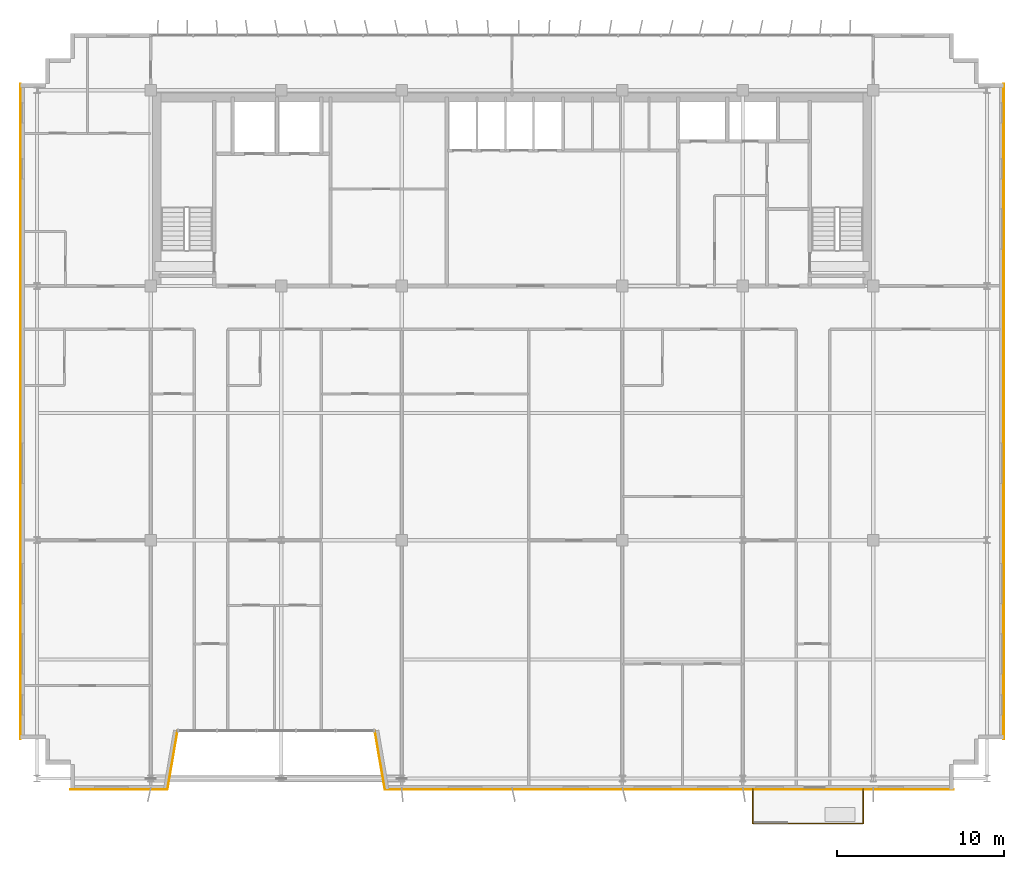
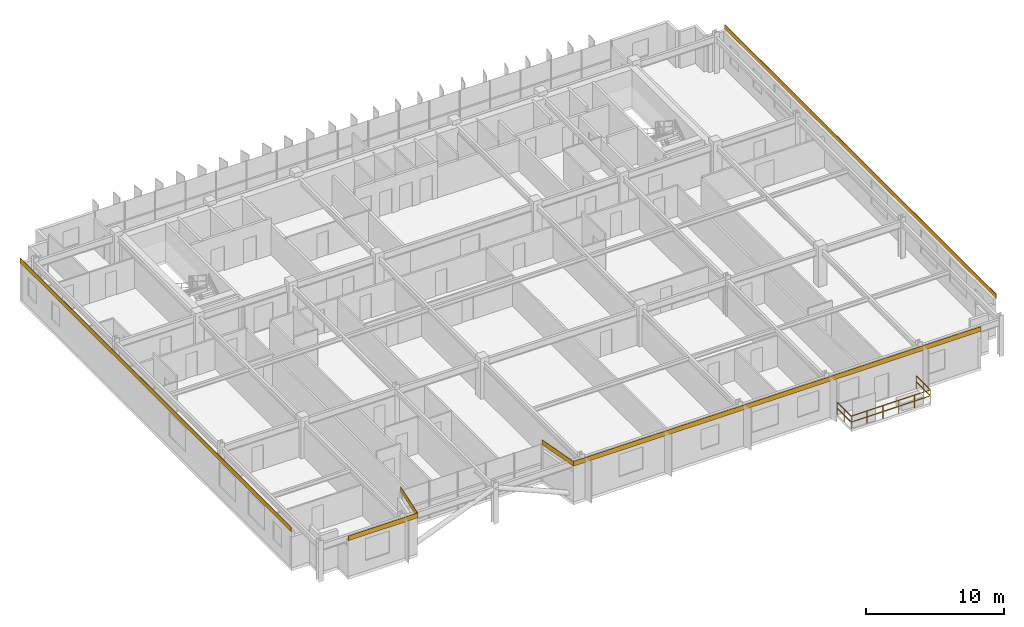
# One storey, part 23 of 24: 6 coverings, 3 railings.
"""IFC4 building model written with IfcOpenShell, lengths in metres."""

import ifcopenshell
import ifcopenshell.guid

model = None  # the IFC model being written
_history = None  # IfcOwnerHistory: only IFC2X3 demands one
_inside = {}  # id of a spatial element -> (the spatial element, [elements in it])
_under = {}  # id of a project, library or spatial element -> (it, [spatial elements below it])
_declared = {}  # id of a project -> (the project, [libraries it declares])
_typed = {}  # id of a type object -> (the type object, [elements of that type])
_made_of = {}  # id of a material, layer set ... -> (it, [elements and type objects made of it])


def new_model(schema):
    """Start an empty IFC model of exactly this schema.

    Asked for "IFC4X3", IfcOpenShell would pick the latest addendum, in which some entities
    have other attributes; the version numbers below select the first issue.
    IFC2X3 requires an IfcOwnerHistory on every rooted entity: one is made here for all.
    """
    global model, _history
    if schema == "IFC4X3":
        model = ifcopenshell.file(schema_version=(4, 3, 0, 0))
    else:
        model = ifcopenshell.file(schema=schema)
    _inside.clear()
    _under.clear()
    _declared.clear()
    _typed.clear()
    _made_of.clear()
    _history = None
    if model.schema == "IFC2X3":
        org = make("IfcOrganization", Name="unknown")
        user = make(
            "IfcPersonAndOrganization",
            ThePerson=make("IfcPerson", FamilyName="unknown"),
            TheOrganization=org,
        )
        app = make(
            "IfcApplication",
            ApplicationDeveloper=org,
            Version="unknown",
            ApplicationFullName="unknown",
            ApplicationIdentifier="unknown",
        )
        _history = make(
            "IfcOwnerHistory",
            OwningUser=user,
            OwningApplication=app,
            ChangeAction="ADDED",
            CreationDate=0,
        )
    return model


def make(cls, **values):
    """One entity of the class cls with the attributes given. An attribute that is None is left unset."""
    return model.create_entity(
        cls, **{name: value for name, value in values.items() if value is not None}
    )


def rooted(cls, **values):
    """An entity with a GlobalId (a new one), such as an element, a storey or a relation."""
    return make(cls, GlobalId=ifcopenshell.guid.new(), OwnerHistory=_history, **values)


def si_unit(unit_type, name, prefix=None):
    """IfcSIUnit, for example si_unit("LENGTHUNIT", "METRE", prefix="MILLI")."""
    return make("IfcSIUnit", UnitType=unit_type, Prefix=prefix, Name=name)


def assignment(units):
    """IfcUnitAssignment: the units of a project."""
    return None if units is None else make("IfcUnitAssignment", Units=units)


def point(xyz):
    """IfcCartesianPoint."""
    return None if xyz is None else make("IfcCartesianPoint", Coordinates=xyz)


def direction(xyz):
    """IfcDirection."""
    return None if xyz is None else make("IfcDirection", DirectionRatios=xyz)


def frame(location, z_axis=None, x_axis=None):
    """IfcAxis2Placement3D, a coordinate frame: its origin and axes. An axis left out is left unset."""
    return make(
        "IfcAxis2Placement3D",
        Location=point(location),
        Axis=direction(z_axis),
        RefDirection=direction(x_axis),
    )


def frame_2d(location, x_axis=None):
    """IfcAxis2Placement2D, a coordinate frame in the plane: its origin and x axis."""
    return make(
        "IfcAxis2Placement2D", Location=point(location), RefDirection=direction(x_axis)
    )


def origin():
    """The frame at (0, 0, 0) with its axes left unset."""
    return frame((0.0, 0.0, 0.0))


def origin_2d():
    """The frame at (0, 0) in the plane with its x axis left unset."""
    return frame_2d((0.0, 0.0))


def place(relative_to, where):
    """IfcLocalPlacement: puts the frame where relative to a parent placement (None: the world)."""
    return make(
        "IfcLocalPlacement", PlacementRelTo=relative_to, RelativePlacement=where
    )


def context(
    kind, dimensions, precision=None, world=None, true_north=None, identifier=None
):
    """IfcGeometricRepresentationContext, for example the 3D "Model" context."""
    return make(
        "IfcGeometricRepresentationContext",
        ContextIdentifier=identifier,
        ContextType=kind,
        CoordinateSpaceDimension=dimensions,
        Precision=precision,
        WorldCoordinateSystem=world,
        TrueNorth=true_north,
    )


def subcontext(parent, identifier, kind, view, scale=None):
    """IfcGeometricRepresentationSubContext, for example "Body" below "Model"."""
    return make(
        "IfcGeometricRepresentationSubContext",
        ContextIdentifier=identifier,
        ContextType=kind,
        ParentContext=parent,
        TargetScale=scale,
        TargetView=view,
    )


def project(units=None, contexts=None):
    """IfcProject with its units and contexts."""
    return rooted(
        "IfcProject",
        Name="project",
        RepresentationContexts=contexts,
        UnitsInContext=assignment(units),
    )


def spatial(cls, under=None, at=None, **own):
    """A site, building, storey or space (cls), placed at a placement, below another one or the project."""
    s = rooted(cls, ObjectPlacement=at, **own)
    if under is not None:
        _under.setdefault(under.id(), (under, []))[1].append(s)
    return s


def profile(cls, at=None, kind="AREA", **sizes):
    """A parametric profile (cls). Its sizes go by their IFC names, for example OverallWidth=200.0."""
    return make(cls, ProfileType=kind, Position=at, **sizes)


def rectangle(**sizes):
    """IfcRectangleProfileDef."""
    return profile("IfcRectangleProfileDef", **sizes)


def extrude(swept, where, along, depth):
    """IfcExtrudedAreaSolid: the profile swept, set in the frame where, extruded along a direction by depth."""
    return make(
        "IfcExtrudedAreaSolid",
        SweptArea=swept,
        Position=where,
        ExtrudedDirection=direction(along),
        Depth=depth,
    )


def shape(context_of_items, identifier, shape_type, items):
    """IfcShapeRepresentation: the items that make up one representation, for example the "Body"."""
    return make(
        "IfcShapeRepresentation",
        ContextOfItems=context_of_items,
        RepresentationIdentifier=identifier,
        RepresentationType=shape_type,
        Items=items,
    )


def source(mapping_origin, context_of_items, identifier, shape_type, items):
    """IfcRepresentationMap: a shape defined once, which mapped items show again and again."""
    return make(
        "IfcRepresentationMap",
        MappingOrigin=mapping_origin,
        MappedRepresentation=shape(context_of_items, identifier, shape_type, items),
    )


def transform(
    local_origin,
    x_axis=None,
    y_axis=None,
    z_axis=None,
    scale=None,
    scale2=None,
    scale3=None,
    uniform=True,
):
    """IfcCartesianTransformationOperator3D, or its non-uniform kind. x_axis, y_axis, z_axis: its Axis1, 2, 3."""
    if uniform:
        return make(
            "IfcCartesianTransformationOperator3D",
            Axis1=direction(x_axis),
            Axis2=direction(y_axis),
            LocalOrigin=point(local_origin),
            Scale=scale,
            Axis3=direction(z_axis),
        )
    return make(
        "IfcCartesianTransformationOperator3DnonUniform",
        Axis1=direction(x_axis),
        Axis2=direction(y_axis),
        LocalOrigin=point(local_origin),
        Scale=scale,
        Axis3=direction(z_axis),
        Scale2=scale2,
        Scale3=scale3,
    )


def mapped(mapping_source, mapping_target):
    """IfcMappedItem: shows the shape of a source again, moved by a transform."""
    return make(
        "IfcMappedItem", MappingSource=mapping_source, MappingTarget=mapping_target
    )


def material(Name=None, Category=None):
    """IfcMaterial."""
    return make("IfcMaterial", Name=Name, Category=Category)


def layer(
    of_material, thickness, ventilated=None, Name=None, Category=None, Priority=None
):
    """IfcMaterialLayer: one layer of a wall or slab, of a material (None: an air gap)."""
    return make(
        "IfcMaterialLayer",
        Material=of_material,
        LayerThickness=thickness,
        IsVentilated=ventilated,
        Name=Name,
        Category=Category,
        Priority=Priority,
    )


def layer_set(layers, Name=None):
    """IfcMaterialLayerSet."""
    return make("IfcMaterialLayerSet", MaterialLayers=layers, LayerSetName=Name)


def made_of(thing, what):
    """Note that an element or type object is made of a material, layer set ...; save() writes the relation."""
    if what is not None:
        _made_of.setdefault(what.id(), (what, []))[1].append(thing)
    return thing


def type_object(cls, material=None, **own):
    """A type object (cls), such as IfcWallType, which elements share."""
    return made_of(rooted(cls, **own), material)


def element(
    cls,
    number,
    at=None,
    inside=None,
    cuts=None,
    type_object=None,
    material=None,
    context=None,
    identifier="Body",
    shape_type=None,
    held_by="IfcProductDefinitionShape",
    body=None,
    shapes=None,
    **own,
):
    """One element of the class cls, such as IfcWall. Its Tag is "e" and its number.

    at: its placement. inside: the storey or other place that contains it. cuts: it is an
    opening in that element (IfcRelVoidsElement). A single representation is given by context,
    identifier, shape_type and body (its items); several are given by shapes. held_by: the class
    of the entity that holds the representations. save() writes the other relations.
    """
    e = rooted(cls, Tag="e%d" % number, ObjectPlacement=at, **own)
    if body is not None:
        shapes = [shape(context, identifier, shape_type, body)]
    if shapes is not None:
        e.Representation = make(held_by, Representations=shapes)
    if inside is not None:
        _inside.setdefault(inside.id(), (inside, []))[1].append(e)
    if cuts is not None:
        rooted(
            "IfcRelVoidsElement", RelatingBuildingElement=cuts, RelatedOpeningElement=e
        )
    if type_object is not None:
        _typed.setdefault(type_object.id(), (type_object, []))[1].append(e)
    return made_of(e, material)


def aggregate(whole, parts):
    """IfcRelAggregates: a whole, such as a stair, and the parts it consists of."""
    return rooted("IfcRelAggregates", RelatingObject=whole, RelatedObjects=parts)


def save(model, path):
    """Write the relations noted so far, then the file.

    IfcRelAggregates (storeys below a building ...), IfcRelContainedInSpatialStructure (elements
    in a storey), IfcRelDefinesByType, IfcRelAssociatesMaterial and IfcRelDeclares: one each for
    every whole, place, type object, material and project.
    """
    for whole, parts in _under.values():
        aggregate(whole, parts)
    for where, things in _inside.values():
        rooted(
            "IfcRelContainedInSpatialStructure",
            RelatedElements=things,
            RelatingStructure=where,
        )
    for kind, things in _typed.values():
        rooted("IfcRelDefinesByType", RelatedObjects=things, RelatingType=kind)
    for what, things in _made_of.values():
        rooted("IfcRelAssociatesMaterial", RelatedObjects=things, RelatingMaterial=what)
    for by, libraries in _declared.values():
        rooted("IfcRelDeclares", RelatingContext=by, RelatedDefinitions=libraries)
    model.write(path)


model = new_model("IFC4")

# Units and contexts
model_context = context("Model", 3, precision=1e-05, world=origin(), true_north=direction((0.0, 1.0)))
body_context = subcontext(model_context, "Body", "Model", "MODEL_VIEW")
ifc_project = project(units=[si_unit("LENGTHUNIT", "METRE"), si_unit("AREAUNIT", "SQUARE_METRE"), si_unit("VOLUMEUNIT", "CUBIC_METRE"), si_unit("PLANEANGLEUNIT", "RADIAN"), si_unit("MASSUNIT", "GRAM", prefix="KILO")], contexts=[model_context])

# Site, building, storey
site_placement = place(None, origin())
site = spatial("IfcSite", under=ifc_project, at=site_placement, CompositionType="ELEMENT")
building_placement = place(site_placement, origin())
building = spatial("IfcBuilding", under=site, at=building_placement, Name="Trelvane Seafront Commons", CompositionType="ELEMENT")
storey_placement = place(building_placement, frame((0.0, 0.0, 178.89990234375)))
storey = spatial("IfcBuildingStorey", under=building, at=storey_placement, Name="L47", CompositionType="ELEMENT", Elevation=178.89990234375)

# Railings
ifc_material_1 = material(Name="Stainless steel balustrade", Category="steel")
railing_type = type_object("IfcRailingType", Name="ARCH-RAIL-BAL1150", PredefinedType="BALUSTRADE", material=ifc_material_1)
railing_1_placement = place(storey_placement, frame((51.60009765625, 3.300048828125, 0.0)))
element("IfcRailing", 1, at=railing_1_placement, inside=storey, type_object=railing_type, Name="RL-L47-BAL0-01", PredefinedType="BALUSTRADE", context=body_context, shape_type="SweptSolid", body=[
    extrude(rectangle(XDim=0.048095703125, YDim=0.048095703125, at=origin_2d()), frame((0.0, 0.0, 1.1259765625), z_axis=(0.0, -1.0, 0.0), x_axis=(1.0, 0.0, 0.0)), (0.0, 0.0, 1.0), 2.0400390625),
    extrude(rectangle(XDim=0.048095703125, YDim=0.048095703125, at=origin_2d()), frame((0.0, 0.0, 0.597900390625), z_axis=(0.0, -1.0, 0.0), x_axis=(1.0, 0.0, 0.0)), (0.0, 0.0, 1.0), 2.0400390625),
    extrude(rectangle(XDim=0.0419921875, YDim=0.0419921875, at=origin_2d()), origin(), (0.0, 0.0, 1.0), 1.1259765625),
    extrude(rectangle(XDim=0.0419921875, YDim=0.0419921875, at=origin_2d()), frame((0.0, -1.02001953125, 0.0)), (0.0, 0.0, 1.0), 1.1259765625),
    extrude(rectangle(XDim=0.0419921875, YDim=0.0419921875, at=origin_2d()), frame((0.0, -2.0400390625, 0.0)), (0.0, 0.0, 1.0), 1.1259765625),
])
railing_2_placement = place(storey_placement, frame((51.60009765625, 1.260009765625, 0.0)))
element("IfcRailing", 2, at=railing_2_placement, inside=storey, type_object=railing_type, Name="RL-L47-BAL0-02", PredefinedType="BALUSTRADE", context=body_context, shape_type="SweptSolid", body=[
    extrude(rectangle(XDim=0.048095703125, YDim=0.048095703125, at=origin_2d()), frame((0.0, 0.0, 1.1259765625), z_axis=(1.0, 0.0, 0.0), x_axis=(0.0, 1.0, 0.0)), (0.0, 0.0, 1.0), 6.599853515625),
    extrude(rectangle(XDim=0.048095703125, YDim=0.048095703125, at=origin_2d()), frame((0.0, 0.0, 0.597900390625), z_axis=(1.0, 0.0, 0.0), x_axis=(0.0, 1.0, 0.0)), (0.0, 0.0, 1.0), 6.599853515625),
    extrude(rectangle(XDim=0.0419921875, YDim=0.0419921875, at=origin_2d()), origin(), (0.0, 0.0, 1.0), 1.1259765625),
    extrude(rectangle(XDim=0.0419921875, YDim=0.0419921875, at=origin_2d()), frame((1.320068359375, 0.0, 0.0)), (0.0, 0.0, 1.0), 1.1259765625),
    extrude(rectangle(XDim=0.0419921875, YDim=0.0419921875, at=origin_2d()), frame((2.639892578125, 0.0, 0.0)), (0.0, 0.0, 1.0), 1.1259765625),
    extrude(rectangle(XDim=0.0419921875, YDim=0.0419921875, at=origin_2d()), frame((3.9599609375, 0.0, 0.0)), (0.0, 0.0, 1.0), 1.1259765625),
    extrude(rectangle(XDim=0.0419921875, YDim=0.0419921875, at=origin_2d()), frame((5.27978515625, 0.0, 0.0)), (0.0, 0.0, 1.0), 1.1259765625),
    extrude(rectangle(XDim=0.0419921875, YDim=0.0419921875, at=origin_2d()), frame((6.599853515625, 0.0, 0.0)), (0.0, 0.0, 1.0), 1.1259765625),
])
railing_3_placement = place(storey_placement, frame((58.199951171875, 1.260009765625, 0.0)))
element("IfcRailing", 3, at=railing_3_placement, inside=storey, type_object=railing_type, Name="RL-L47-BAL0-03", PredefinedType="BALUSTRADE", context=body_context, shape_type="SweptSolid", body=[
    extrude(rectangle(XDim=0.048095703125, YDim=0.048095703125, at=origin_2d()), frame((0.0, 0.0, 1.1259765625), z_axis=(0.0, 1.0, 0.0), x_axis=(-1.0, 0.0, 0.0)), (0.0, 0.0, 1.0), 2.0400390625),
    extrude(rectangle(XDim=0.048095703125, YDim=0.048095703125, at=origin_2d()), frame((0.0, 0.0, 0.597900390625), z_axis=(0.0, 1.0, 0.0), x_axis=(-1.0, 0.0, 0.0)), (0.0, 0.0, 1.0), 2.0400390625),
    extrude(rectangle(XDim=0.0419921875, YDim=0.0419921875, at=origin_2d()), origin(), (0.0, 0.0, 1.0), 1.1259765625),
    extrude(rectangle(XDim=0.0419921875, YDim=0.0419921875, at=origin_2d()), frame((0.0, 1.02001953125, 0.0)), (0.0, 0.0, 1.0), 1.1259765625),
    extrude(rectangle(XDim=0.0419921875, YDim=0.0419921875, at=origin_2d()), frame((0.0, 2.0400390625, 0.0)), (0.0, 0.0, 1.0), 1.1259765625),
])

# Coverings
ifc_material_2 = material(Name="Anodised pale-silver aluminium", Category="aluminium")
ifc_layer = layer(ifc_material_2, 0.034912109375, Name="ARCH-COV-CLAD35")
ifc_layer_set = layer_set([ifc_layer], Name="Anodised pale-silver aluminium")
covering_type = type_object("IfcCoveringType", Name="ARCH-COV-CLAD35", PredefinedType="CLADDING", material=ifc_layer_set)
shared_shape_1 = source(origin(), body_context, "Body", "SweptSolid", [
    extrude(rectangle(XDim=3.551025390625, YDim=0.034912109375, at=origin_2d()), origin(), (0.0, 0.0, 1.0), 0.419921875),
])
for number, where, z_axis, x_axis, name in (
    (4, (29.300048828125, 5.050048828125, 3.18017578125), (0.0, 0.0, 1.0), (-0.168964184077, 0.985622191562, 0.0), "CLD-L47-00192"),
    (5, (16.89990234375, 5.050048828125, 3.18017578125), (0.0, 0.0, 1.0), (-0.168964184077, -0.985622191562, 0.0), "CLD-L47-00193"),
):
    element("IfcCovering", number, at=place(storey_placement, frame(where, z_axis=z_axis, x_axis=x_axis)), inside=storey, type_object=covering_type, Name=name, PredefinedType="CLADDING", context=body_context, shape_type="MappedRepresentation", body=[
        mapped(shared_shape_1, transform((0.0, 0.0, 0.0), x_axis=(1.0, 0.0, 0.0), y_axis=(0.0, 1.0, 0.0), z_axis=(0.0, 0.0, 1.0), scale=1.0)),
    ])
shared_shape_2 = source(origin(), body_context, "Body", "SweptSolid", [
    extrude(rectangle(XDim=39.199951171875, YDim=0.034912109375, at=origin_2d()), origin(), (0.0, 0.0, 1.0), 0.419921875),
])
for number, where, z_axis, x_axis, name in (
    (6, (7.800048828125, 25.89990234375, 3.18017578125), (0.0, 0.0, 1.0), (0.0, 1.0, 0.0), "CLD-L47-00189"),
    (7, (66.60009765625, 25.89990234375, 3.18017578125), (0.0, 0.0, 1.0), (0.0, -1.0, 0.0), "CLD-L47-00190"),
):
    element("IfcCovering", number, at=place(storey_placement, frame(where, z_axis=z_axis, x_axis=x_axis)), inside=storey, type_object=covering_type, Name=name, PredefinedType="CLADDING", context=body_context, shape_type="MappedRepresentation", body=[
        mapped(shared_shape_2, transform((0.0, 0.0, 0.0), x_axis=(1.0, 0.0, 0.0), y_axis=(0.0, 1.0, 0.0), z_axis=(0.0, 0.0, 1.0), scale=1.0)),
    ])
shared_shape_3 = source(origin(), body_context, "Body", "SweptSolid", [
    extrude(rectangle(XDim=34.0, YDim=0.034912109375, at=origin_2d()), origin(), (0.0, 0.0, 1.0), 0.419921875),
])
covering_1_placement = place(storey_placement, frame((46.60009765625, 3.300048828125, 3.18017578125), z_axis=(0.0, 0.0, 1.0), x_axis=(-1.0, 0.0, 0.0)))
element("IfcCovering", 8, at=covering_1_placement, inside=storey, type_object=covering_type, Name="CLD-L47-00191", PredefinedType="CLADDING", context=body_context, shape_type="MappedRepresentation", body=[
    mapped(shared_shape_3, transform((0.0, 0.0, 0.0), x_axis=(1.0, 0.0, 0.0), y_axis=(0.0, 1.0, 0.0), z_axis=(0.0, 0.0, 1.0), scale=1.0)),
])
shared_shape_4 = source(origin(), body_context, "Body", "SweptSolid", [
    extrude(rectangle(XDim=5.800048828125, YDim=0.034912109375, at=origin_2d()), origin(), (0.0, 0.0, 1.0), 0.419921875),
])
covering_2_placement = place(storey_placement, frame((13.699951171875, 3.300048828125, 3.18017578125), z_axis=(0.0, 0.0, 1.0), x_axis=(-1.0, 0.0, 0.0)))
element("IfcCovering", 9, at=covering_2_placement, inside=storey, type_object=covering_type, Name="CLD-L47-00194", PredefinedType="CLADDING", context=body_context, shape_type="MappedRepresentation", body=[
    mapped(shared_shape_4, transform((0.0, 0.0, 0.0), x_axis=(1.0, 0.0, 0.0), y_axis=(0.0, 1.0, 0.0), z_axis=(0.0, 0.0, 1.0), scale=1.0)),
])

save(model, "model.ifc")
